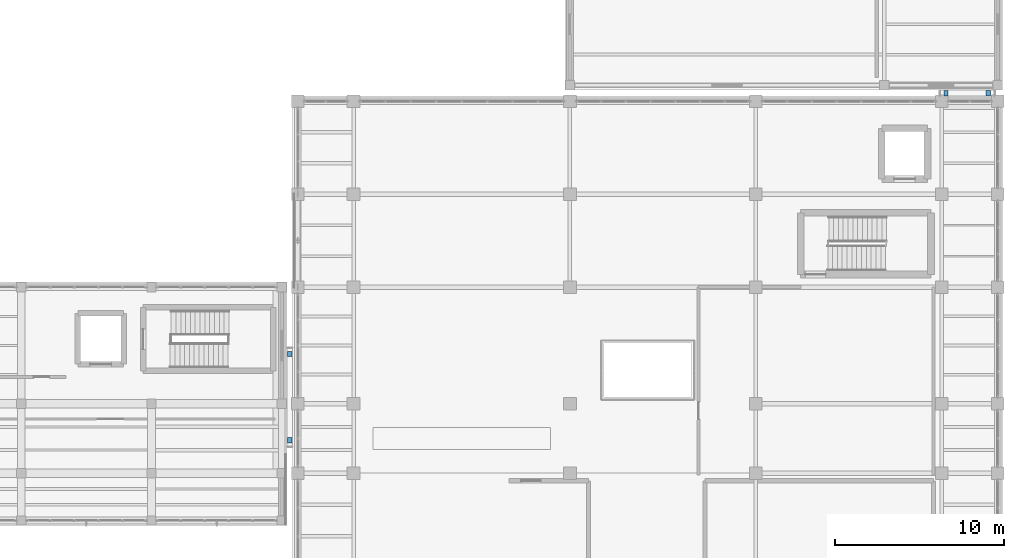
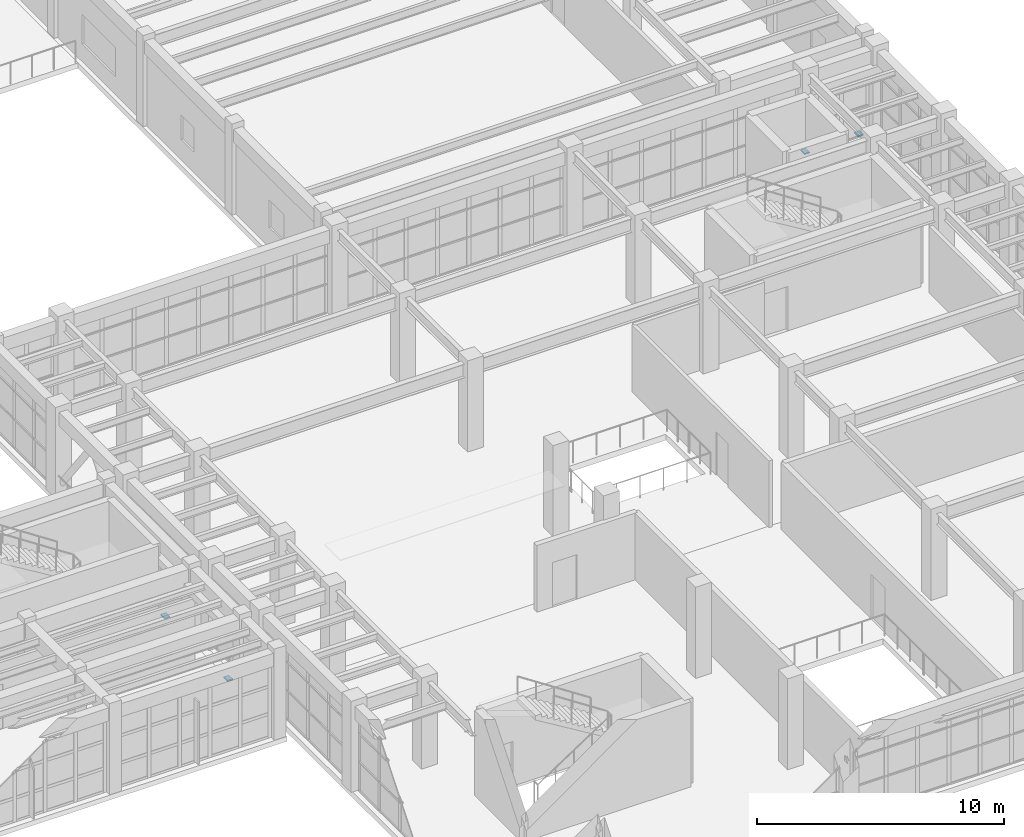
# One storey, part 76 of 85: 4 discrete accessories.
"""IFC4 building model written with IfcOpenShell, lengths in metres."""

from ifc_helpers import new_model, si_unit, direction, frame, origin, origin_2d, place, context, subcontext, project, spatial, rectangle, extrude, material, type_object, element, save


model = new_model("IFC4")

# Units and contexts
model_context = context("Model", 3, precision=1e-05, world=origin(), true_north=direction((0.0, 1.0)))
body_context = subcontext(model_context, "Body", "Model", "MODEL_VIEW")
ifc_project = project(units=[si_unit("LENGTHUNIT", "METRE"), si_unit("AREAUNIT", "SQUARE_METRE"), si_unit("VOLUMEUNIT", "CUBIC_METRE"), si_unit("PLANEANGLEUNIT", "RADIAN"), si_unit("MASSUNIT", "GRAM", prefix="KILO")], contexts=[model_context])

# Site, building, storey
site_placement = place(None, origin())
site = spatial("IfcSite", under=ifc_project, at=site_placement, CompositionType="ELEMENT")
building_placement = place(site_placement, origin())
building = spatial("IfcBuilding", under=site, at=building_placement, Name="Candilejo Ridge Gondola Terminal", CompositionType="ELEMENT")
storey_placement = place(building_placement, frame((0.0, 0.0, 4.5)))
storey = spatial("IfcBuildingStorey", under=building, at=storey_placement, Name="L01", CompositionType="ELEMENT", Elevation=4.5)

# Discrete accessories
ifc_material = material(Name="Steel ASTM A572 Grade 50", Category="steel")
discrete_accessory_type = type_object("IfcDiscreteAccessoryType", Name="STR-PTFE-SLIDING-BEARING", PredefinedType="BRACKET", material=ifc_material)
for number, where, name in (
    (1, (133.425048828125, 27.64990234375, -0.280029296875), "PTFE sliding bridge bearing BRK-LB-SJ3-L01-1"),
    (2, (133.425048828125, 32.75, -0.280029296875), "PTFE sliding bridge bearing BRK-LB-SJ3-L01-2"),
    (3, (172.25, 48.175048828125, -0.280029296875), "PTFE sliding bridge bearing BRK-LB-SJ4-L01-1"),
    (4, (174.75, 48.175048828125, -0.280029296875), "PTFE sliding bridge bearing BRK-LB-SJ4-L01-2"),
):
    element("IfcDiscreteAccessory", number, at=place(storey_placement, frame(where)), inside=storey, type_object=discrete_accessory_type, Name=name, PredefinedType="BRACKET", context=body_context, shape_type="SweptSolid", body=[
        extrude(rectangle(XDim=0.25, YDim=0.320068359375, at=origin_2d()), origin(), (0.0, 0.0, 1.0), 0.06005859375),
    ])

save(model, "model.ifc")
